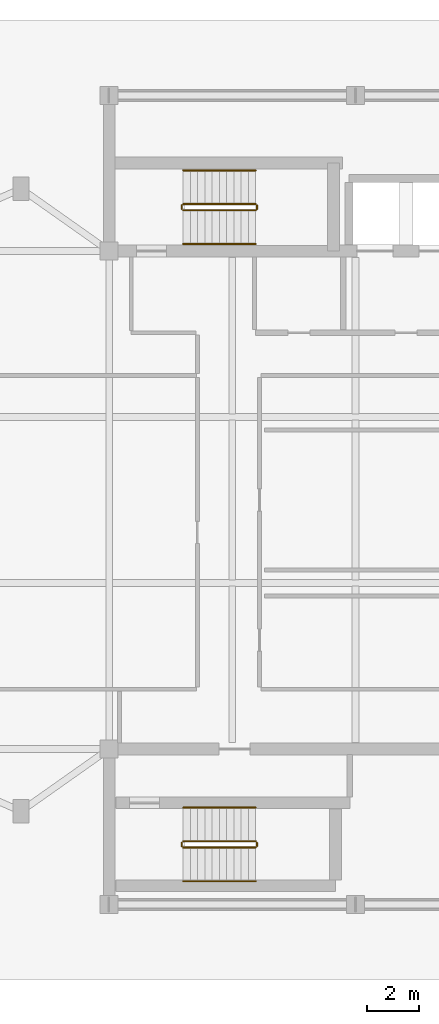
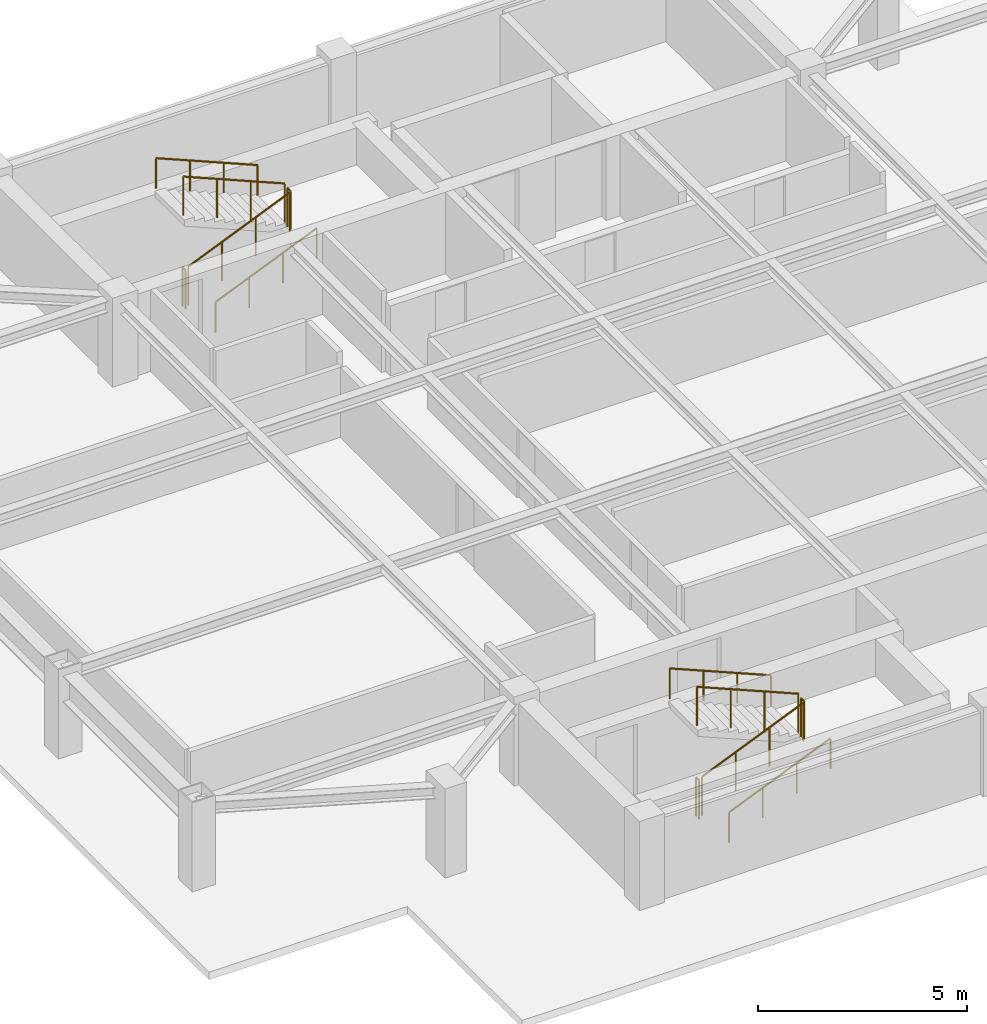
# One storey, part 4 of 4: 12 railings.
"""IFC4 building model written with IfcOpenShell, lengths in metres."""

from ifc_helpers import new_model, si_unit, direction, frame, origin, origin_2d, place, context, subcontext, project, spatial, circle, extrude, material, type_object, element, save


model = new_model("IFC4")

# Units and contexts
model_context = context("Model", 3, precision=1e-05, world=origin(), true_north=direction((0.0, 1.0)))
body_context = subcontext(model_context, "Body", "Model", "MODEL_VIEW")
ifc_project = project(units=[si_unit("LENGTHUNIT", "METRE"), si_unit("AREAUNIT", "SQUARE_METRE"), si_unit("VOLUMEUNIT", "CUBIC_METRE"), si_unit("PLANEANGLEUNIT", "RADIAN"), si_unit("MASSUNIT", "GRAM", prefix="KILO")], contexts=[model_context])

# Site, building, storey
site_placement = place(None, origin())
site = spatial("IfcSite", under=ifc_project, at=site_placement, CompositionType="ELEMENT")
building_placement = place(site_placement, origin())
building = spatial("IfcBuilding", under=site, at=building_placement, Name="Mirazonda Arch Towers", CompositionType="ELEMENT")
storey_placement = place(building_placement, frame((0.0, 0.0, 266.10009765625)))
storey = spatial("IfcBuildingStorey", under=building, at=storey_placement, Name="L76", CompositionType="ELEMENT", Elevation=266.10009765625)

# Railings
ifc_material = material(Name="Architectural Brushed Steel S355", Category="steel")
railing_type_1 = type_object("IfcRailingType", Name="GUARD-STAIR-1120", PredefinedType="GUARDRAIL", material=ifc_material)
railing_1_placement = place(storey_placement, frame((13.85009765625, 39.169921875, 0.1181640625)))
element("IfcRailing", 1, at=railing_1_placement, inside=storey, type_object=railing_type_1, Name="L76 ST-T1N stair guard 1", PredefinedType="GUARDRAIL", context=body_context, shape_type="SweptSolid", body=[
    extrude(circle(Radius=0.02392578125, at=origin_2d()), frame((0.0, 0.0, 1.1259765625), z_axis=(0.92130840654, 0.0, 0.38883263757), x_axis=(0.0, 1.0, 0.0)), (0.0, 0.0, 1.0), 3.0390625),
    extrude(circle(Radius=0.02099609375, at=origin_2d()), origin(), (0.0, 0.0, 1.0), 1.101806640625),
    extrude(circle(Radius=0.02099609375, at=origin_2d()), frame((0.933349609375, 0.0, 0.393798828125)), (0.0, 0.0, 1.0), 1.101806640625),
    extrude(circle(Radius=0.02099609375, at=origin_2d()), frame((1.866455078125, 0.0, 0.787841796875)), (0.0, 0.0, 1.0), 1.101806640625),
    extrude(circle(Radius=0.02099609375, at=origin_2d()), frame((2.7998046875, 0.0, 1.181640625)), (0.0, 0.0, 1.0), 1.101806640625),
])
railing_2_placement = place(storey_placement, frame((16.699951171875, 39.219970703125, 1.2998046875)))
element("IfcRailing", 2, at=railing_2_placement, inside=storey, type_object=railing_type_1, Name="L76 ST-T1N stair guard 2", PredefinedType="GUARDRAIL", context=body_context, shape_type="SweptSolid", body=[
    extrude(circle(Radius=0.02392578125, at=origin_2d()), frame((0.0, 0.0, 1.1259765625), z_axis=(0.0, 1.0, 0.0), x_axis=(-1.0, 0.0, 0.0)), (0.0, 0.0, 1.0), 0.14013671875),
    extrude(circle(Radius=0.02099609375, at=origin_2d()), origin(), (0.0, 0.0, 1.0), 1.101806640625),
    extrude(circle(Radius=0.02099609375, at=origin_2d()), frame((0.0, 0.14013671875, 0.0)), (0.0, 0.0, 1.0), 1.101806640625),
])
railing_3_placement = place(storey_placement, frame((16.64990234375, 39.409912109375, 1.41796875)))
element("IfcRailing", 3, at=railing_3_placement, inside=storey, type_object=railing_type_1, Name="L76 ST-T1N stair guard 3", PredefinedType="GUARDRAIL", context=body_context, shape_type="SweptSolid", body=[
    extrude(circle(Radius=0.02392578125, at=origin_2d()), frame((0.0, 0.0, 1.1259765625), z_axis=(-0.921279625293, 0.0, 0.388900825431), x_axis=(0.0, -1.0, 0.0)), (0.0, 0.0, 1.0), 3.0390625),
    extrude(circle(Radius=0.02099609375, at=origin_2d()), origin(), (0.0, 0.0, 1.0), 1.101806640625),
    extrude(circle(Radius=0.02099609375, at=origin_2d()), frame((-0.933349609375, 0.0, 0.39404296875)), (0.0, 0.0, 1.0), 1.101806640625),
    extrude(circle(Radius=0.02099609375, at=origin_2d()), frame((-1.866455078125, 0.0, 0.787841796875)), (0.0, 0.0, 1.0), 1.101806640625),
    extrude(circle(Radius=0.02099609375, at=origin_2d()), frame((-2.7998046875, 0.0, 1.181884765625)), (0.0, 0.0, 1.0), 1.101806640625),
])
railing_4_placement = place(storey_placement, frame((13.800048828125, 39.219970703125, 0.0)))
element("IfcRailing", 4, at=railing_4_placement, inside=storey, type_object=railing_type_1, Name="L76 ST-T1N stair guard 4", PredefinedType="GUARDRAIL", context=body_context, shape_type="SweptSolid", body=[
    extrude(circle(Radius=0.02392578125, at=origin_2d()), frame((0.0, 0.0, 1.1259765625), z_axis=(0.0, 1.0, 0.0), x_axis=(-1.0, 0.0, 0.0)), (0.0, 0.0, 1.0), 0.14013671875),
    extrude(circle(Radius=0.02099609375, at=origin_2d()), origin(), (0.0, 0.0, 1.0), 1.101806640625),
    extrude(circle(Radius=0.02099609375, at=origin_2d()), frame((0.0, 0.14013671875, 0.0)), (0.0, 0.0, 1.0), 1.101806640625),
])
railing_5_placement = place(storey_placement, frame((13.85009765625, 14.60009765625, 0.1181640625)))
element("IfcRailing", 5, at=railing_5_placement, inside=storey, type_object=railing_type_1, Name="L76 ST-T1S stair guard 1", PredefinedType="GUARDRAIL", context=body_context, shape_type="SweptSolid", body=[
    extrude(circle(Radius=0.02392578125, at=origin_2d()), frame((0.0, 0.0, 1.1259765625), z_axis=(0.92130840654, 0.0, 0.38883263757), x_axis=(0.0, 1.0, 0.0)), (0.0, 0.0, 1.0), 3.0390625),
    extrude(circle(Radius=0.02099609375, at=origin_2d()), origin(), (0.0, 0.0, 1.0), 1.101806640625),
    extrude(circle(Radius=0.02099609375, at=origin_2d()), frame((0.933349609375, 0.0, 0.393798828125)), (0.0, 0.0, 1.0), 1.101806640625),
    extrude(circle(Radius=0.02099609375, at=origin_2d()), frame((1.866455078125, 0.0, 0.787841796875)), (0.0, 0.0, 1.0), 1.101806640625),
    extrude(circle(Radius=0.02099609375, at=origin_2d()), frame((2.7998046875, 0.0, 1.181640625)), (0.0, 0.0, 1.0), 1.101806640625),
])
railing_6_placement = place(storey_placement, frame((16.699951171875, 14.64990234375, 1.2998046875)))
element("IfcRailing", 6, at=railing_6_placement, inside=storey, type_object=railing_type_1, Name="L76 ST-T1S stair guard 2", PredefinedType="GUARDRAIL", context=body_context, shape_type="SweptSolid", body=[
    extrude(circle(Radius=0.02392578125, at=origin_2d()), frame((0.0, 0.0, 1.1259765625), z_axis=(0.0, 1.0, 0.0), x_axis=(-1.0, 0.0, 0.0)), (0.0, 0.0, 1.0), 0.14013671875),
    extrude(circle(Radius=0.02099609375, at=origin_2d()), origin(), (0.0, 0.0, 1.0), 1.101806640625),
    extrude(circle(Radius=0.02099609375, at=origin_2d()), frame((0.0, 0.14013671875, 0.0)), (0.0, 0.0, 1.0), 1.101806640625),
])
railing_7_placement = place(storey_placement, frame((16.64990234375, 14.840087890625, 1.41796875)))
element("IfcRailing", 7, at=railing_7_placement, inside=storey, type_object=railing_type_1, Name="L76 ST-T1S stair guard 3", PredefinedType="GUARDRAIL", context=body_context, shape_type="SweptSolid", body=[
    extrude(circle(Radius=0.02392578125, at=origin_2d()), frame((0.0, 0.0, 1.1259765625), z_axis=(-0.921279625293, 0.0, 0.388900825431), x_axis=(0.0, -1.0, 0.0)), (0.0, 0.0, 1.0), 3.0390625),
    extrude(circle(Radius=0.02099609375, at=origin_2d()), origin(), (0.0, 0.0, 1.0), 1.101806640625),
    extrude(circle(Radius=0.02099609375, at=origin_2d()), frame((-0.933349609375, 0.0, 0.39404296875)), (0.0, 0.0, 1.0), 1.101806640625),
    extrude(circle(Radius=0.02099609375, at=origin_2d()), frame((-1.866455078125, 0.0, 0.787841796875)), (0.0, 0.0, 1.0), 1.101806640625),
    extrude(circle(Radius=0.02099609375, at=origin_2d()), frame((-2.7998046875, 0.0, 1.181884765625)), (0.0, 0.0, 1.0), 1.101806640625),
])
railing_8_placement = place(storey_placement, frame((13.800048828125, 14.64990234375, 0.0)))
element("IfcRailing", 8, at=railing_8_placement, inside=storey, type_object=railing_type_1, Name="L76 ST-T1S stair guard 4", PredefinedType="GUARDRAIL", context=body_context, shape_type="SweptSolid", body=[
    extrude(circle(Radius=0.02392578125, at=origin_2d()), frame((0.0, 0.0, 1.1259765625), z_axis=(0.0, 1.0, 0.0), x_axis=(-1.0, 0.0, 0.0)), (0.0, 0.0, 1.0), 0.14013671875),
    extrude(circle(Radius=0.02099609375, at=origin_2d()), origin(), (0.0, 0.0, 1.0), 1.101806640625),
    extrude(circle(Radius=0.02099609375, at=origin_2d()), frame((0.0, 0.14013671875, 0.0)), (0.0, 0.0, 1.0), 1.101806640625),
])
railing_type_2 = type_object("IfcRailingType", Name="HANDRAIL-915", PredefinedType="HANDRAIL", material=ifc_material)
railing_9_placement = place(storey_placement, frame((13.85009765625, 37.8701171875, 0.1181640625)))
element("IfcRailing", 9, at=railing_9_placement, inside=storey, type_object=railing_type_2, Name="L76 ST-T1N stair handrail 1", PredefinedType="HANDRAIL", context=body_context, shape_type="SweptSolid", body=[
    extrude(circle(Radius=0.02392578125, at=origin_2d()), frame((0.0, 0.0, 0.8759765625), z_axis=(0.92130840654, 0.0, 0.38883263757), x_axis=(0.0, 1.0, 0.0)), (0.0, 0.0, 1.0), 3.0390625),
    extrude(circle(Radius=0.02099609375, at=origin_2d()), origin(), (0.0, 0.0, 1.0), 0.851806640625),
    extrude(circle(Radius=0.02099609375, at=origin_2d()), frame((0.933349609375, 0.0, 0.393798828125)), (0.0, 0.0, 1.0), 0.851806640625),
    extrude(circle(Radius=0.02099609375, at=origin_2d()), frame((1.866455078125, 0.0, 0.787841796875)), (0.0, 0.0, 1.0), 0.851806640625),
    extrude(circle(Radius=0.02099609375, at=origin_2d()), frame((2.7998046875, 0.0, 1.181640625)), (0.0, 0.0, 1.0), 0.851806640625),
])
railing_10_placement = place(storey_placement, frame((16.64990234375, 40.7099609375, 1.41796875)))
element("IfcRailing", 10, at=railing_10_placement, inside=storey, type_object=railing_type_2, Name="L76 ST-T1N stair handrail 2", PredefinedType="HANDRAIL", context=body_context, shape_type="SweptSolid", body=[
    extrude(circle(Radius=0.02392578125, at=origin_2d()), frame((0.0, 0.0, 0.8759765625), z_axis=(-0.921279625293, 0.0, 0.388900825431), x_axis=(0.0, -1.0, 0.0)), (0.0, 0.0, 1.0), 3.0390625),
    extrude(circle(Radius=0.02099609375, at=origin_2d()), origin(), (0.0, 0.0, 1.0), 0.851806640625),
    extrude(circle(Radius=0.02099609375, at=origin_2d()), frame((-0.933349609375, 0.0, 0.39404296875)), (0.0, 0.0, 1.0), 0.851806640625),
    extrude(circle(Radius=0.02099609375, at=origin_2d()), frame((-1.866455078125, 0.0, 0.787841796875)), (0.0, 0.0, 1.0), 0.851806640625),
    extrude(circle(Radius=0.02099609375, at=origin_2d()), frame((-2.7998046875, 0.0, 1.181884765625)), (0.0, 0.0, 1.0), 0.851806640625),
])
railing_11_placement = place(storey_placement, frame((13.85009765625, 13.300048828125, 0.1181640625)))
element("IfcRailing", 11, at=railing_11_placement, inside=storey, type_object=railing_type_2, Name="L76 ST-T1S stair handrail 1", PredefinedType="HANDRAIL", context=body_context, shape_type="SweptSolid", body=[
    extrude(circle(Radius=0.02392578125, at=origin_2d()), frame((0.0, 0.0, 0.8759765625), z_axis=(0.92130840654, 0.0, 0.38883263757), x_axis=(0.0, 1.0, 0.0)), (0.0, 0.0, 1.0), 3.0390625),
    extrude(circle(Radius=0.02099609375, at=origin_2d()), origin(), (0.0, 0.0, 1.0), 0.851806640625),
    extrude(circle(Radius=0.02099609375, at=origin_2d()), frame((0.933349609375, 0.0, 0.393798828125)), (0.0, 0.0, 1.0), 0.851806640625),
    extrude(circle(Radius=0.02099609375, at=origin_2d()), frame((1.866455078125, 0.0, 0.787841796875)), (0.0, 0.0, 1.0), 0.851806640625),
    extrude(circle(Radius=0.02099609375, at=origin_2d()), frame((2.7998046875, 0.0, 1.181640625)), (0.0, 0.0, 1.0), 0.851806640625),
])
railing_12_placement = place(storey_placement, frame((16.64990234375, 16.139892578125, 1.41796875)))
element("IfcRailing", 12, at=railing_12_placement, inside=storey, type_object=railing_type_2, Name="L76 ST-T1S stair handrail 2", PredefinedType="HANDRAIL", context=body_context, shape_type="SweptSolid", body=[
    extrude(circle(Radius=0.02392578125, at=origin_2d()), frame((0.0, 0.0, 0.8759765625), z_axis=(-0.921279625293, 0.0, 0.388900825431), x_axis=(0.0, -1.0, 0.0)), (0.0, 0.0, 1.0), 3.0390625),
    extrude(circle(Radius=0.02099609375, at=origin_2d()), origin(), (0.0, 0.0, 1.0), 0.851806640625),
    extrude(circle(Radius=0.02099609375, at=origin_2d()), frame((-0.933349609375, 0.0, 0.39404296875)), (0.0, 0.0, 1.0), 0.851806640625),
    extrude(circle(Radius=0.02099609375, at=origin_2d()), frame((-1.866455078125, 0.0, 0.787841796875)), (0.0, 0.0, 1.0), 0.851806640625),
    extrude(circle(Radius=0.02099609375, at=origin_2d()), frame((-2.7998046875, 0.0, 1.181884765625)), (0.0, 0.0, 1.0), 0.851806640625),
])

save(model, "model.ifc")
